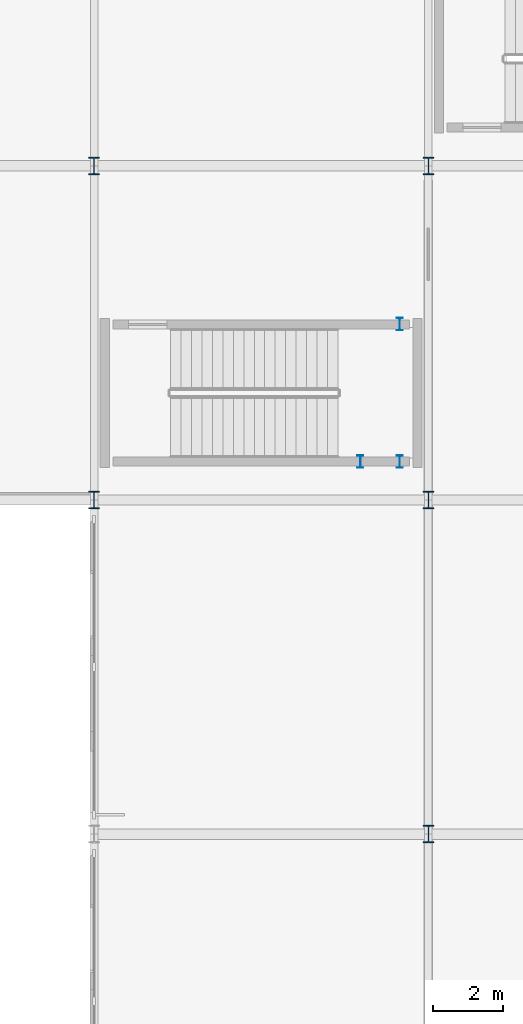
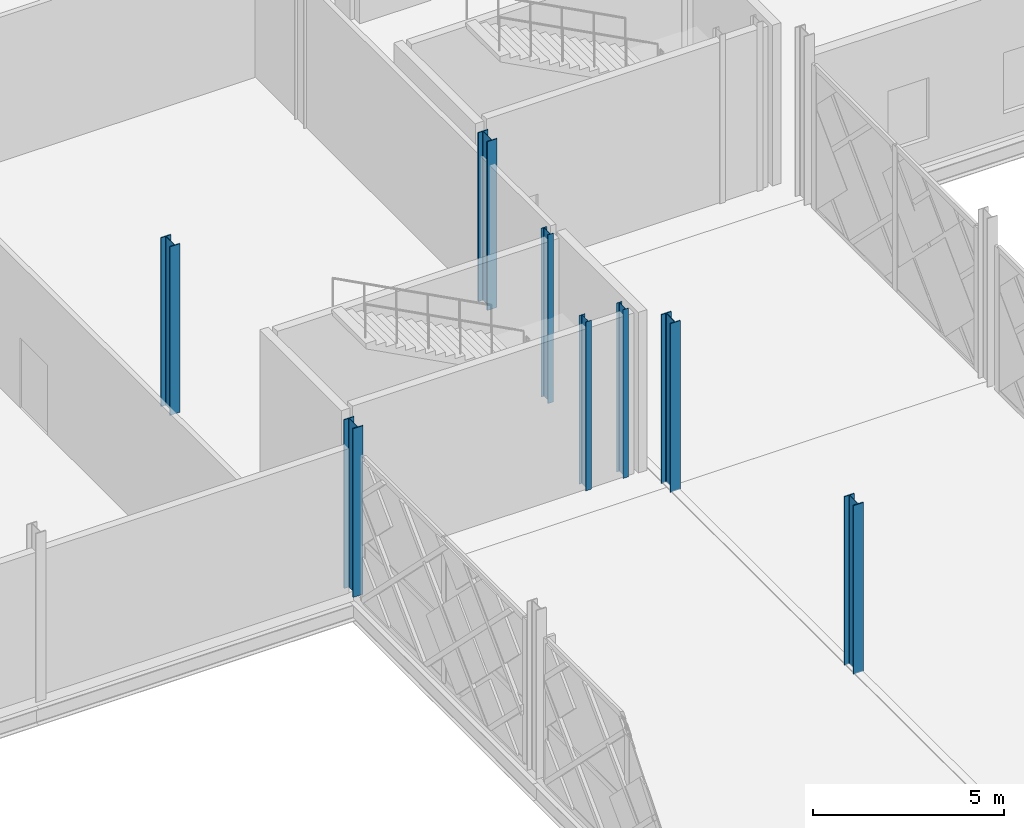
# One storey, part 12 of 84: 8 columns.
"""IFC4 building model written with IfcOpenShell, lengths in metres."""

from ifc_helpers import new_model, si_unit, direction, frame, origin, origin_2d, place, context, subcontext, project, spatial, i_section, extrude, material, material_profile, profile_set, type_object, element, save


model = new_model("IFC4")

# Units and contexts
model_context = context("Model", 3, precision=1e-05, world=origin(), true_north=direction((0.0, 1.0)))
body_context = subcontext(model_context, "Body", "Model", "MODEL_VIEW")
ifc_project = project(units=[si_unit("LENGTHUNIT", "METRE"), si_unit("AREAUNIT", "SQUARE_METRE"), si_unit("VOLUMEUNIT", "CUBIC_METRE"), si_unit("PLANEANGLEUNIT", "RADIAN"), si_unit("MASSUNIT", "GRAM", prefix="KILO")], contexts=[model_context])

# Site, building, storey
site_placement = place(None, origin())
site = spatial("IfcSite", under=ifc_project, at=site_placement, CompositionType="ELEMENT")
building_placement = place(site_placement, origin())
building = spatial("IfcBuilding", under=site, at=building_placement, Name="Zevrakil Square Congress Hotel", CompositionType="ELEMENT")
storey_placement = place(building_placement, origin())
storey = spatial("IfcBuildingStorey", under=building, at=storey_placement, Name="L01", CompositionType="ELEMENT", Elevation=0.0)

# Columns
ifc_material_1 = material(Name="Steel S355", Category="steel")
ifc_material_profile_1 = material_profile(ifc_material_1, i_section(OverallWidth=0.300048828125, OverallDepth=0.5, WebThickness=0.014404296875, FlangeThickness=0.028076171875, FilletRadius=0.027099609375, at=origin_2d()), Name="HEB 500")
ifc_profile_set_1 = profile_set([ifc_material_profile_1], Name="Steel S355")
column_type_1 = type_object("IfcColumnType", Name="COL-HEB500", PredefinedType="COLUMN", material=ifc_profile_set_1)
for number, where, z_axis, x_axis, name in (
    (1, (45.60009765625, 74.39990234375, 0.0), (0.0, 0.0, 1.0), (1.0, 0.0, 0.0), "L01 column C-075"),
    (2, (45.60009765625, 84.0, 0.0), (0.0, 0.0, 1.0), (1.0, 0.0, 0.0), "L01 column C-076"),
    (3, (55.199951171875, 64.800048828125, 0.0), (0.0, 0.0, 1.0), (1.0, 0.0, 0.0), "L01 column C-092"),
    (4, (55.199951171875, 74.39990234375, 0.0), (0.0, 0.0, 1.0), (1.0, 0.0, 0.0), "L01 column C-093"),
    (5, (55.199951171875, 84.0, 0.0), (0.0, 0.0, 1.0), (1.0, 0.0, 0.0), "L01 column C-094"),
):
    element("IfcColumn", number, at=place(storey_placement, frame(where, z_axis=z_axis, x_axis=x_axis)), inside=storey, type_object=column_type_1, Name=name, PredefinedType="COLUMN", context=body_context, shape_type="SweptSolid", body=[
        extrude(i_section(OverallWidth=0.300048828125, OverallDepth=0.5, WebThickness=0.014404296875, FlangeThickness=0.028076171875, FilletRadius=0.027099609375, at=origin_2d()), origin(), (0.0, 0.0, 1.0), 5.39990234375),
    ])
ifc_material_2 = material(Name="Steel S355", Category="steel")
ifc_material_profile_2 = material_profile(ifc_material_2, i_section(OverallWidth=0.169921875, OverallDepth=0.360107421875, WebThickness=0.008056640625, FlangeThickness=0.0126953125, FilletRadius=0.01806640625, at=origin_2d()), Name="IPE 360")
ifc_profile_set_2 = profile_set([ifc_material_profile_2], Name="Steel S355")
column_type_2 = type_object("IfcColumnType", Name="COL-PILASTER-SHS180", PredefinedType="PILASTER", material=ifc_profile_set_2)
for number, where, z_axis, x_axis, name in (
    (6, (53.25, 75.5, 0.0), (0.0, 0.0, 1.0), (1.0, 0.0, 0.0), "L01 ST14 stair shaft post 1"),
    (7, (54.3798828125, 75.5, 0.0), (0.0, 0.0, 1.0), (1.0, 0.0, 0.0), "L01 ST14 stair shaft post 2"),
    (8, (54.3798828125, 79.449951171875, 0.0), (0.0, 0.0, 1.0), (1.0, 0.0, 0.0), "L01 ST14 stair shaft post 3"),
):
    element("IfcColumn", number, at=place(storey_placement, frame(where, z_axis=z_axis, x_axis=x_axis)), inside=storey, type_object=column_type_2, Name=name, PredefinedType="PILASTER", context=body_context, shape_type="SweptSolid", body=[
        extrude(i_section(OverallWidth=0.169921875, OverallDepth=0.360107421875, WebThickness=0.008056640625, FlangeThickness=0.0126953125, FilletRadius=0.01806640625, at=origin_2d()), origin(), (0.0, 0.0, 1.0), 5.39990234375),
    ])

save(model, "model.ifc")
